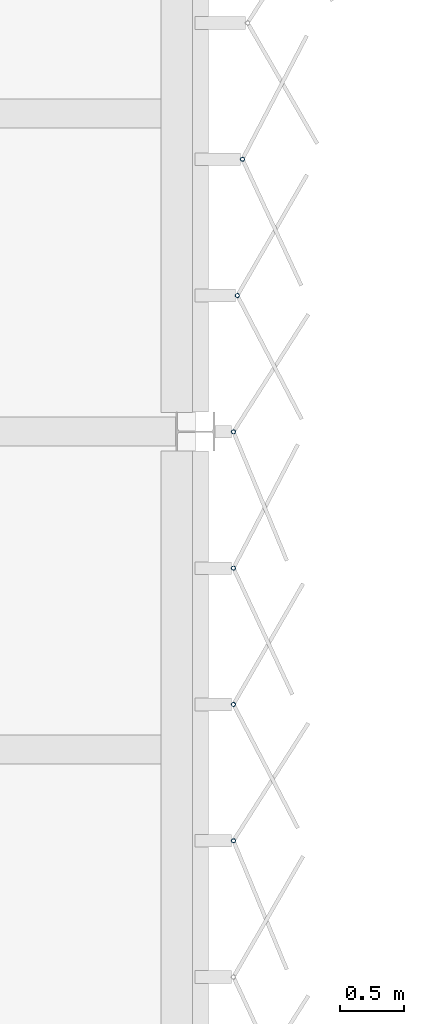
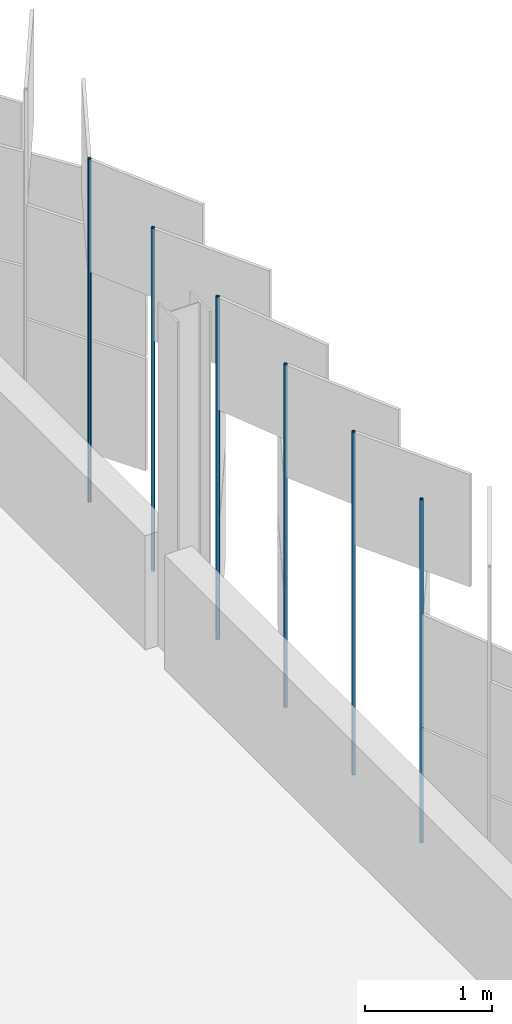
# One storey, part 115 of 198: 6 discrete accessories.
"""IFC4 building model written with IfcOpenShell, lengths in metres."""

from ifc_helpers import new_model, si_unit, direction, frame, origin, origin_2d, place, context, subcontext, project, spatial, hollow_circle, extrude, material, material_profile, profile_set, type_object, element, save


model = new_model("IFC4")

# Units and contexts
model_context = context("Model", 3, precision=1e-05, world=origin(), true_north=direction((0.0, 1.0)))
body_context = subcontext(model_context, "Body", "Model", "MODEL_VIEW")
ifc_project = project(units=[si_unit("LENGTHUNIT", "METRE"), si_unit("AREAUNIT", "SQUARE_METRE"), si_unit("VOLUMEUNIT", "CUBIC_METRE"), si_unit("PLANEANGLEUNIT", "RADIAN"), si_unit("MASSUNIT", "GRAM", prefix="KILO")], contexts=[model_context])

# Site, building, storey
site_placement = place(None, origin())
site = spatial("IfcSite", under=ifc_project, at=site_placement, CompositionType="ELEMENT")
building_placement = place(site_placement, origin())
building = spatial("IfcBuilding", under=site, at=building_placement, Name="Parallax Yard Mobility Hub", CompositionType="ELEMENT")
storey_placement = place(building_placement, frame((0.0, 0.0, 6.60009765625)))
storey = spatial("IfcBuildingStorey", under=building, at=storey_placement, Name="L02", CompositionType="ELEMENT", Elevation=6.60009765625)

# Discrete accessories
ifc_material = material(Name="Steel ASTM A500 Gr C, hot-dip galvanised", Category="steel")
ifc_material_profile = material_profile(ifc_material, hollow_circle(Radius=0.016845703125, WallThickness=0.003173828125, at=origin_2d()), Name="CHS 33.7x3.2")
ifc_profile_set = profile_set([ifc_material_profile], Name="Steel ASTM A500 Gr C, hot-dip galvanised")
discrete_accessory_type = type_object("IfcDiscreteAccessoryType", Name="Hinge post CHS 33.7x3.2", PredefinedType="BRACKET", material=ifc_profile_set)
for number, where, z_axis, x_axis, name in (
    (1, (225.300048828125, 71.782958984375, 0.0), (0.0, 0.0, 1.0), (1.0, 0.0, 0.0), "Hinge post bay 38.5 level L02"),
    (2, (225.300048828125, 72.854736328125, 0.0), (0.0, 0.0, 1.0), (1.0, 0.0, 0.0), "Hinge post bay 38.6 level L02"),
    (3, (225.300048828125, 73.926513671875, 0.0), (0.0, 0.0, 1.0), (1.0, 0.0, 0.0), "Hinge post bay 38.7 level L02"),
    (4, (225.300048828125, 74.998291015625, 0.0), (0.0, 0.0, 1.0), (1.0, 0.0, 0.0), "Hinge post bay 39.1 level L02"),
    (5, (225.330810546875, 76.06982421875, 0.0), (0.0, 0.0, 1.0), (1.0, 0.0, 0.0), "Hinge post bay 39.2 level L02"),
    (6, (225.370849609375, 77.1416015625, 0.0), (0.0, 0.0, 1.0), (1.0, 0.0, 0.0), "Hinge post bay 39.3 level L02"),
):
    element("IfcDiscreteAccessory", number, at=place(storey_placement, frame(where, z_axis=z_axis, x_axis=x_axis)), inside=storey, type_object=discrete_accessory_type, Name=name, PredefinedType="BRACKET", context=body_context, shape_type="SweptSolid", body=[
        extrude(hollow_circle(Radius=0.016845703125, WallThickness=0.003173828125, at=origin_2d()), origin(), (0.0, 0.0, 1.0), 3.2998046875),
    ])

save(model, "model.ifc")
